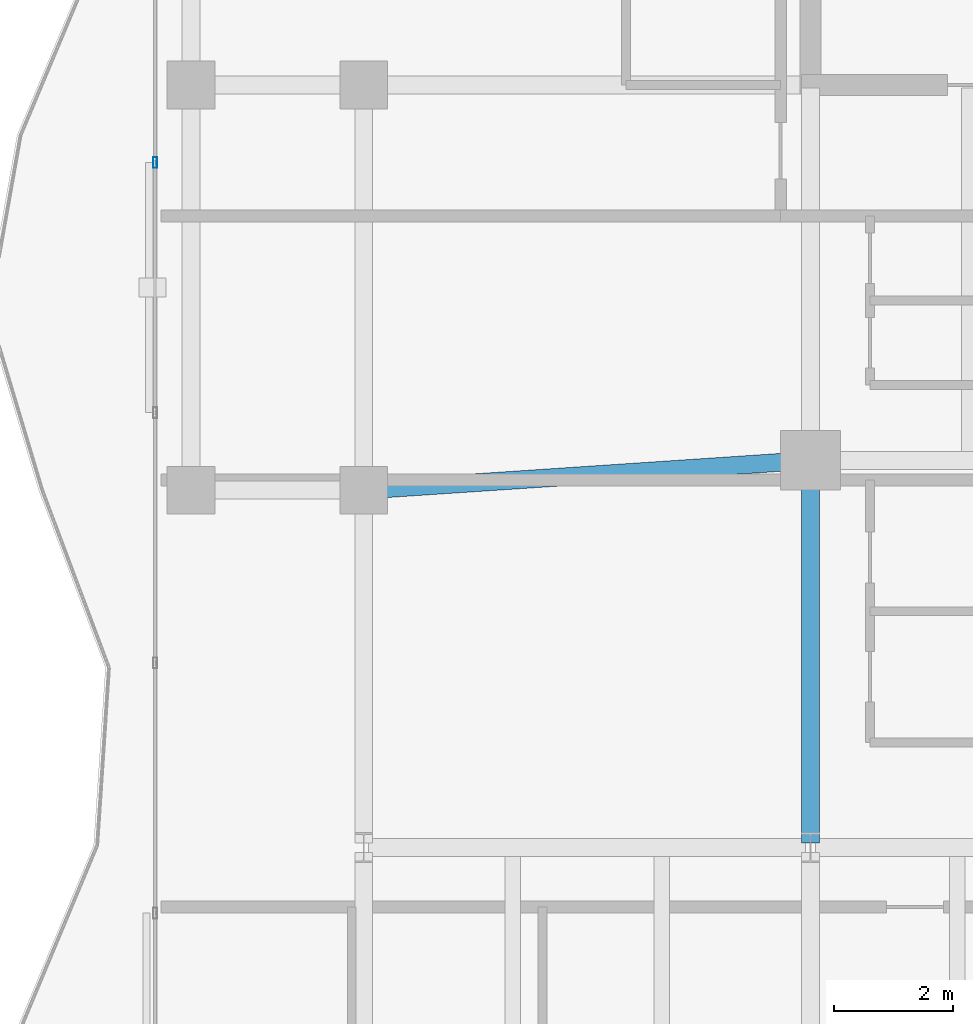
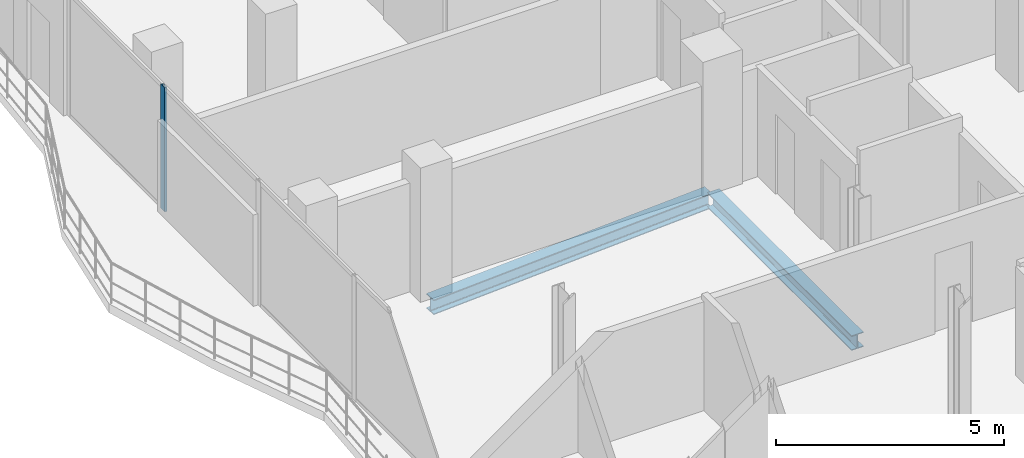
# One storey, part 8 of 23: 2 beams, 1 member, 1 element without a shape of its own.
"""IFC4 building model written with IfcOpenShell, lengths in metres."""

from ifc_helpers import new_model, si_unit, direction, frame, origin, origin_2d, place, context, subcontext, project, spatial, hollow_rectangle, i_section, extrude, material, layer, layer_set, material_profile, profile_set, type_object, element, aggregate, save


model = new_model("IFC4")

# Units and contexts
model_context = context("Model", 3, precision=1e-05, world=origin(), true_north=direction((0.0, 1.0)))
body_context = subcontext(model_context, "Body", "Model", "MODEL_VIEW")
ifc_project = project(units=[si_unit("LENGTHUNIT", "METRE"), si_unit("AREAUNIT", "SQUARE_METRE"), si_unit("VOLUMEUNIT", "CUBIC_METRE"), si_unit("PLANEANGLEUNIT", "RADIAN"), si_unit("MASSUNIT", "GRAM", prefix="KILO")], contexts=[model_context])

# Site, building, storey
site_placement = place(None, origin())
site = spatial("IfcSite", under=ifc_project, at=site_placement, CompositionType="ELEMENT")
building_placement = place(site_placement, origin())
building = spatial("IfcBuilding", under=site, at=building_placement, Name="Catumbela Crestline Tower", CompositionType="ELEMENT")
storey_placement = place(building_placement, frame((0.0, 0.0, 175.8)))
storey = spatial("IfcBuildingStorey", under=building, at=storey_placement, Name="L45", CompositionType="ELEMENT", Elevation=175.8)

# Beams
ifc_material_1 = material(Name="Structural steel S355J2", Category="steel")
ifc_material_profile_1 = material_profile(ifc_material_1, i_section(OverallWidth=0.3, OverallDepth=0.4, WebThickness=0.0135, FlangeThickness=0.024, FilletRadius=0.027, at=origin_2d()), Name="HEB 400")
ifc_profile_set_1 = profile_set([ifc_material_profile_1], Name="Structural steel S355J2")
beam_type = type_object("IfcBeamType", Name="BG-HEB400", PredefinedType="BEAM", material=ifc_profile_set_1)
beam_1_placement = place(storey_placement, frame((8.5798, 24.0053, -0.46), z_axis=(0.997784796964, 0.066524423687, 0.0), x_axis=(-0.066524423687, 0.997784796964, 0.0)))
element("IfcBeam", 1, at=beam_1_placement, inside=storey, type_object=beam_type, Name="L45 Beam BM-L45-S02", PredefinedType="BEAM", context=body_context, shape_type="SweptSolid", body=[
    extrude(i_section(OverallWidth=0.3, OverallDepth=0.4, WebThickness=0.0135, FlangeThickness=0.024, FilletRadius=0.027, at=origin_2d()), origin(), (0.0, 0.0, 1.0), 7.3567),
])
beam_2_placement = place(storey_placement, frame((16.0, 18.08, -0.46), z_axis=(0.0, 1.0, 0.0), x_axis=(-1.0, 0.0, 0.0)))
element("IfcBeam", 2, at=beam_2_placement, inside=storey, type_object=beam_type, Name="L45 Beam BM-L45-WNS42", PredefinedType="BEAM", context=body_context, shape_type="SweptSolid", body=[
    extrude(i_section(OverallWidth=0.3, OverallDepth=0.4, WebThickness=0.0135, FlangeThickness=0.024, FilletRadius=0.027, at=origin_2d()), origin(), (0.0, 0.0, 1.0), 6.34),
])

# Curtain wall, member
ifc_material_2 = material(Name="Aluminium alloy AW-6060-T66", Category="aluminium")
ifc_layer = layer(ifc_material_2, 0.18, Name="Aluminium alloy AW-6060-T66")
ifc_layer_set = layer_set([ifc_layer], Name="Aluminium alloy AW-6060-T66")
curtain_wall_type = type_object("IfcCurtainWallType", Name="CWU-Z3", PredefinedType="USERDEFINED", material=ifc_layer_set)
curtain_wall_placement = place(storey_placement, origin())
curtain_wall = element("IfcCurtainWall", 3, at=curtain_wall_placement, inside=storey, type_object=curtain_wall_type, Name="L45 Unitised Curtain Wall CW-L45-E9S2", ObjectType="UNITISED", PredefinedType="USERDEFINED")
ifc_material_profile_2 = material_profile(ifc_material_2, hollow_rectangle(XDim=0.065, YDim=0.18, WallThickness=0.004, at=origin_2d()), Name="ALU 180x65x4")
ifc_profile_set_2 = profile_set([ifc_material_profile_2], Name="Aluminium alloy AW-6060-T66")
member_type = type_object("IfcMemberType", Name="MUL-180X65", PredefinedType="MULLION", material=ifc_profile_set_2)
member_placement = place(storey_placement, frame((5.0, 29.5, 0.0), z_axis=(0.0, 0.0, 1.0), x_axis=(1.0, 0.0, 0.0)))
member = element("IfcMember", 4, at=member_placement, type_object=member_type, Name="CWU-Z3 mullion 2", PredefinedType="MULLION", context=body_context, shape_type="SweptSolid", body=[
    extrude(hollow_rectangle(XDim=0.065, YDim=0.18, WallThickness=0.004, at=origin_2d()), origin(), (0.0, 0.0, 1.0), 3.33),
])
aggregate(curtain_wall, [member])

save(model, "model.ifc")
